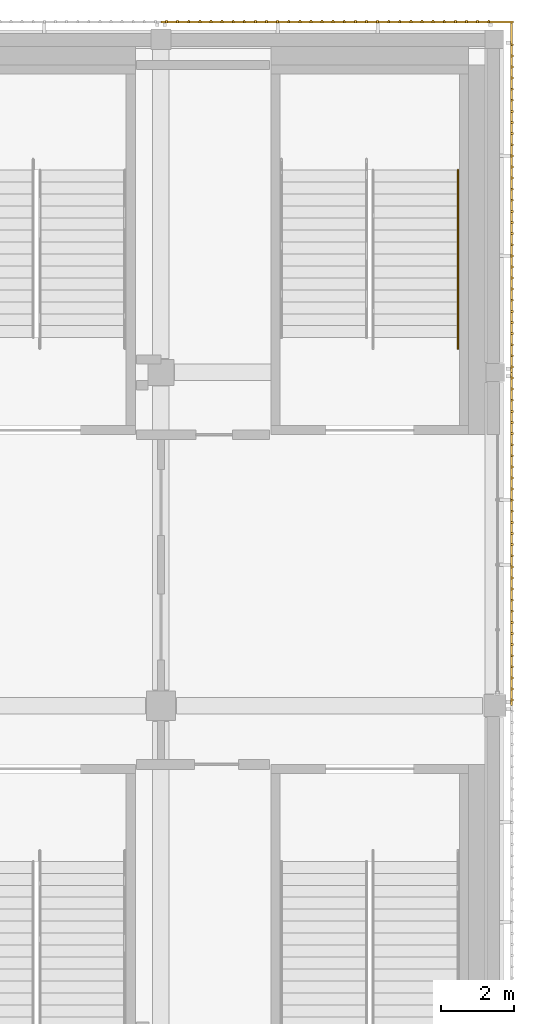
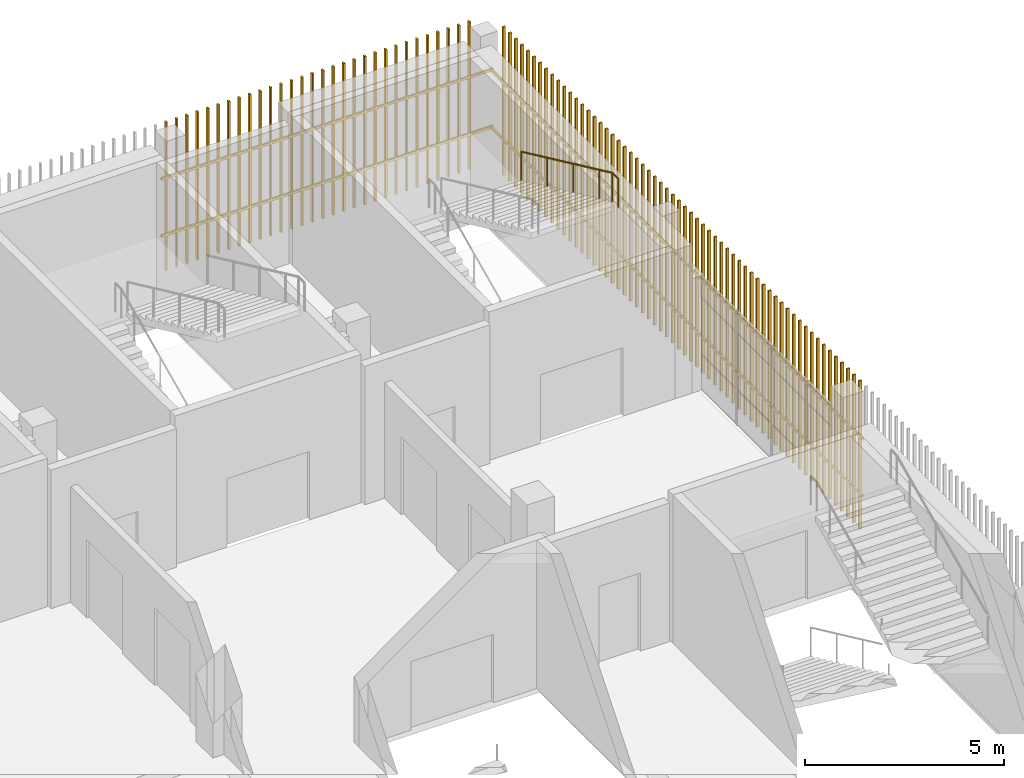
# One storey, part 124 of 126: 3 shading devices, 1 railing.
"""IFC4 building model written with IfcOpenShell, lengths in metres."""

from ifc_helpers import new_model, si_unit, direction, frame, origin, origin_2d, place, context, subcontext, project, spatial, rectangle, circle, extrude, material, type_object, element, save


model = new_model("IFC4")

# Units and contexts
model_context = context("Model", 3, precision=1e-05, world=origin(), true_north=direction((0.0, 1.0)))
body_context = subcontext(model_context, "Body", "Model", "MODEL_VIEW")
ifc_project = project(units=[si_unit("LENGTHUNIT", "METRE"), si_unit("AREAUNIT", "SQUARE_METRE"), si_unit("VOLUMEUNIT", "CUBIC_METRE"), si_unit("PLANEANGLEUNIT", "RADIAN"), si_unit("MASSUNIT", "GRAM", prefix="KILO")], contexts=[model_context])

# Site, building, storey
site_placement = place(None, origin())
site = spatial("IfcSite", under=ifc_project, at=site_placement, CompositionType="ELEMENT")
building_placement = place(site_placement, origin())
building = spatial("IfcBuilding", under=site, at=building_placement, Name="Shirokan Park Arena", CompositionType="ELEMENT")
storey_placement = place(building_placement, frame((0.0, 0.0, 6.3701171875)))
storey = spatial("IfcBuildingStorey", under=building, at=storey_placement, Name="L01", CompositionType="ELEMENT", Elevation=6.3701171875)

# Railing
ifc_material_1 = material(Name="Stainless steel", Category="steel")
railing_type = type_object("IfcRailingType", Name="Stair handrail 900", PredefinedType="HANDRAIL", material=ifc_material_1)
railing_placement = place(storey_placement, frame((144.610107421875, 105.623779296875, 2.426513671875)))
element("IfcRailing", 1, at=railing_placement, inside=storey, type_object=railing_type, Name="Handrail Exit Stair 3.A L01 to L02", PredefinedType="HANDRAIL", context=body_context, shape_type="SweptSolid", body=[
    extrude(circle(Radius=0.02392578125, at=origin_2d()), frame((0.0, 0.0, 0.8759765625), z_axis=(0.0, -0.907029769225, 0.421066500378), x_axis=(1.0, 0.0, 0.0)), (0.0, 0.0, 1.0), 1.44091796875),
    extrude(circle(Radius=0.02392578125, at=origin_2d()), frame((0.0, -1.306884765625, 1.482421875), z_axis=(0.0, -0.906999720516, 0.421131222998), x_axis=(1.0, 0.0, 0.0)), (0.0, 0.0, 1.0), 1.440673828125),
    extrude(circle(Radius=0.02392578125, at=origin_2d()), frame((0.0, -2.613525390625, 2.08935546875), z_axis=(0.0, -0.907029769225, 0.421066500378), x_axis=(1.0, 0.0, 0.0)), (0.0, 0.0, 1.0), 1.44091796875),
    extrude(circle(Radius=0.02392578125, at=origin_2d()), frame((0.0, -3.92041015625, 2.69580078125), z_axis=(0.0, -0.907064445915, 0.420991794405), x_axis=(1.0, 0.0, 0.0)), (0.0, 0.0, 1.0), 0.72021484375),
    extrude(circle(Radius=0.02392578125, at=origin_2d()), frame((0.0, -4.57373046875, 2.9990234375), z_axis=(0.0, -1.0, 0.0), x_axis=(1.0, 0.0, 0.0)), (0.0, 0.0, 1.0), 0.300048828125),
    extrude(circle(Radius=0.02099609375, at=origin_2d()), origin(), (0.0, 0.0, 1.0), 0.851806640625),
    extrude(circle(Radius=0.02099609375, at=origin_2d()), frame((0.0, -1.306884765625, 0.606689453125)), (0.0, 0.0, 1.0), 0.851806640625),
    extrude(circle(Radius=0.02099609375, at=origin_2d()), frame((0.0, -2.613525390625, 1.21337890625)), (0.0, 0.0, 1.0), 0.851806640625),
    extrude(circle(Radius=0.02099609375, at=origin_2d()), frame((0.0, -3.92041015625, 1.820068359375)), (0.0, 0.0, 1.0), 0.851806640625),
    extrude(circle(Radius=0.02099609375, at=origin_2d()), frame((0.0, -4.57373046875, 2.123291015625)), (0.0, 0.0, 1.0), 0.851806640625),
    extrude(circle(Radius=0.02099609375, at=origin_2d()), frame((0.0, -4.873779296875, 2.123291015625)), (0.0, 0.0, 1.0), 0.851806640625),
])

# Shading devices
ifc_material_2 = material(Name="Timber louvre veil (cedar)", Category="wood")
shading_device_type = type_object("IfcShadingDeviceType", Name="Timber louvre veil panel", PredefinedType="JALOUSIE", material=ifc_material_2)
shading_device_1_placement = place(storey_placement, origin())
element("IfcShadingDevice", 2, at=shading_device_1_placement, inside=storey, type_object=shading_device_type, Name="Timber louvre veil east bay 11 L01", PredefinedType="JALOUSIE", context=body_context, shape_type="SweptSolid", body=[
    extrude(rectangle(XDim=0.050048828125, YDim=0.080078125, at=origin_2d()), frame((146.0849609375, 91.151611328125, 0.0), z_axis=(0.0, 0.0, 1.0), x_axis=(0.0, 1.0, 0.0)), (0.0, 0.0, 1.0), 4.550048828125),
    extrude(rectangle(XDim=0.050048828125, YDim=0.080078125, at=origin_2d()), frame((146.0849609375, 91.455078125, 0.0), z_axis=(0.0, 0.0, 1.0), x_axis=(0.0, 1.0, 0.0)), (0.0, 0.0, 1.0), 4.550048828125),
    extrude(rectangle(XDim=0.050048828125, YDim=0.080078125, at=origin_2d()), frame((146.0849609375, 91.75830078125, 0.0), z_axis=(0.0, 0.0, 1.0), x_axis=(0.0, 1.0, 0.0)), (0.0, 0.0, 1.0), 4.550048828125),
    extrude(rectangle(XDim=0.050048828125, YDim=0.080078125, at=origin_2d()), frame((146.0849609375, 92.061767578125, 0.0), z_axis=(0.0, 0.0, 1.0), x_axis=(0.0, 1.0, 0.0)), (0.0, 0.0, 1.0), 4.550048828125),
    extrude(rectangle(XDim=0.050048828125, YDim=0.080078125, at=origin_2d()), frame((146.0849609375, 92.364990234375, 0.0), z_axis=(0.0, 0.0, 1.0), x_axis=(0.0, 1.0, 0.0)), (0.0, 0.0, 1.0), 4.550048828125),
    extrude(rectangle(XDim=0.050048828125, YDim=0.080078125, at=origin_2d()), frame((146.0849609375, 92.668212890625, 0.0), z_axis=(0.0, 0.0, 1.0), x_axis=(0.0, 1.0, 0.0)), (0.0, 0.0, 1.0), 4.550048828125),
    extrude(rectangle(XDim=0.050048828125, YDim=0.080078125, at=origin_2d()), frame((146.0849609375, 92.9716796875, 0.0), z_axis=(0.0, 0.0, 1.0), x_axis=(0.0, 1.0, 0.0)), (0.0, 0.0, 1.0), 4.550048828125),
    extrude(rectangle(XDim=0.050048828125, YDim=0.080078125, at=origin_2d()), frame((146.0849609375, 93.27490234375, 0.0), z_axis=(0.0, 0.0, 1.0), x_axis=(0.0, 1.0, 0.0)), (0.0, 0.0, 1.0), 4.550048828125),
    extrude(rectangle(XDim=0.050048828125, YDim=0.080078125, at=origin_2d()), frame((146.0849609375, 93.578369140625, 0.0), z_axis=(0.0, 0.0, 1.0), x_axis=(0.0, 1.0, 0.0)), (0.0, 0.0, 1.0), 4.550048828125),
    extrude(rectangle(XDim=0.050048828125, YDim=0.080078125, at=origin_2d()), frame((146.0849609375, 93.881591796875, 0.0), z_axis=(0.0, 0.0, 1.0), x_axis=(0.0, 1.0, 0.0)), (0.0, 0.0, 1.0), 4.550048828125),
    extrude(rectangle(XDim=0.050048828125, YDim=0.080078125, at=origin_2d()), frame((146.0849609375, 94.18505859375, 0.0), z_axis=(0.0, 0.0, 1.0), x_axis=(0.0, 1.0, 0.0)), (0.0, 0.0, 1.0), 4.550048828125),
    extrude(rectangle(XDim=0.050048828125, YDim=0.080078125, at=origin_2d()), frame((146.0849609375, 94.48828125, 0.0), z_axis=(0.0, 0.0, 1.0), x_axis=(0.0, 1.0, 0.0)), (0.0, 0.0, 1.0), 4.550048828125),
    extrude(rectangle(XDim=0.050048828125, YDim=0.080078125, at=origin_2d()), frame((146.0849609375, 94.791748046875, 0.0), z_axis=(0.0, 0.0, 1.0), x_axis=(0.0, 1.0, 0.0)), (0.0, 0.0, 1.0), 4.550048828125),
    extrude(rectangle(XDim=0.050048828125, YDim=0.080078125, at=origin_2d()), frame((146.0849609375, 95.094970703125, 0.0), z_axis=(0.0, 0.0, 1.0), x_axis=(0.0, 1.0, 0.0)), (0.0, 0.0, 1.0), 4.550048828125),
    extrude(rectangle(XDim=0.050048828125, YDim=0.080078125, at=origin_2d()), frame((146.0849609375, 95.3984375, 0.0), z_axis=(0.0, 0.0, 1.0), x_axis=(0.0, 1.0, 0.0)), (0.0, 0.0, 1.0), 4.550048828125),
    extrude(rectangle(XDim=0.050048828125, YDim=0.080078125, at=origin_2d()), frame((146.0849609375, 95.70166015625, 0.0), z_axis=(0.0, 0.0, 1.0), x_axis=(0.0, 1.0, 0.0)), (0.0, 0.0, 1.0), 4.550048828125),
    extrude(rectangle(XDim=0.050048828125, YDim=0.080078125, at=origin_2d()), frame((146.0849609375, 96.0048828125, 0.0), z_axis=(0.0, 0.0, 1.0), x_axis=(0.0, 1.0, 0.0)), (0.0, 0.0, 1.0), 4.550048828125),
    extrude(rectangle(XDim=0.050048828125, YDim=0.080078125, at=origin_2d()), frame((146.0849609375, 96.308349609375, 0.0), z_axis=(0.0, 0.0, 1.0), x_axis=(0.0, 1.0, 0.0)), (0.0, 0.0, 1.0), 4.550048828125),
    extrude(rectangle(XDim=0.050048828125, YDim=0.080078125, at=origin_2d()), frame((146.0849609375, 96.611572265625, 0.0), z_axis=(0.0, 0.0, 1.0), x_axis=(0.0, 1.0, 0.0)), (0.0, 0.0, 1.0), 4.550048828125),
    extrude(rectangle(XDim=0.050048828125, YDim=0.080078125, at=origin_2d()), frame((146.0849609375, 96.9150390625, 0.0), z_axis=(0.0, 0.0, 1.0), x_axis=(0.0, 1.0, 0.0)), (0.0, 0.0, 1.0), 4.550048828125),
    extrude(rectangle(XDim=0.050048828125, YDim=0.080078125, at=origin_2d()), frame((146.0849609375, 97.21826171875, 0.0), z_axis=(0.0, 0.0, 1.0), x_axis=(0.0, 1.0, 0.0)), (0.0, 0.0, 1.0), 4.550048828125),
    extrude(rectangle(XDim=0.050048828125, YDim=0.080078125, at=origin_2d()), frame((146.0849609375, 97.521728515625, 0.0), z_axis=(0.0, 0.0, 1.0), x_axis=(0.0, 1.0, 0.0)), (0.0, 0.0, 1.0), 4.550048828125),
    extrude(rectangle(XDim=0.050048828125, YDim=0.080078125, at=origin_2d()), frame((146.0849609375, 97.824951171875, 0.0), z_axis=(0.0, 0.0, 1.0), x_axis=(0.0, 1.0, 0.0)), (0.0, 0.0, 1.0), 4.550048828125),
    extrude(rectangle(XDim=0.050048828125, YDim=0.080078125, at=origin_2d()), frame((146.0849609375, 98.12841796875, 0.0), z_axis=(0.0, 0.0, 1.0), x_axis=(0.0, 1.0, 0.0)), (0.0, 0.0, 1.0), 4.550048828125),
    extrude(rectangle(XDim=0.050048828125, YDim=0.080078125, at=origin_2d()), frame((146.0849609375, 98.431640625, 0.0), z_axis=(0.0, 0.0, 1.0), x_axis=(0.0, 1.0, 0.0)), (0.0, 0.0, 1.0), 4.550048828125),
    extrude(rectangle(XDim=0.050048828125, YDim=0.080078125, at=origin_2d()), frame((146.0849609375, 98.735107421875, 0.0), z_axis=(0.0, 0.0, 1.0), x_axis=(0.0, 1.0, 0.0)), (0.0, 0.0, 1.0), 4.550048828125),
    extrude(rectangle(XDim=0.050048828125, YDim=0.080078125, at=origin_2d()), frame((146.0849609375, 99.038330078125, 0.0), z_axis=(0.0, 0.0, 1.0), x_axis=(0.0, 1.0, 0.0)), (0.0, 0.0, 1.0), 4.550048828125),
    extrude(rectangle(XDim=0.050048828125, YDim=0.080078125, at=origin_2d()), frame((146.0849609375, 99.341552734375, 0.0), z_axis=(0.0, 0.0, 1.0), x_axis=(0.0, 1.0, 0.0)), (0.0, 0.0, 1.0), 4.550048828125),
    extrude(rectangle(XDim=0.050048828125, YDim=0.080078125, at=origin_2d()), frame((146.0849609375, 99.64501953125, 0.0), z_axis=(0.0, 0.0, 1.0), x_axis=(0.0, 1.0, 0.0)), (0.0, 0.0, 1.0), 4.550048828125),
    extrude(rectangle(XDim=0.050048828125, YDim=0.080078125, at=origin_2d()), frame((146.0849609375, 99.9482421875, 0.0), z_axis=(0.0, 0.0, 1.0), x_axis=(0.0, 1.0, 0.0)), (0.0, 0.0, 1.0), 4.550048828125),
    extrude(rectangle(XDim=9.10009765625, YDim=0.050048828125, at=origin_2d()), frame((146.070068359375, 95.550048828125, 1.059814453125), z_axis=(0.0, 0.0, 1.0), x_axis=(0.0, 1.0, 0.0)), (0.0, 0.0, 1.0), 0.080078125),
    extrude(rectangle(XDim=9.10009765625, YDim=0.050048828125, at=origin_2d()), frame((146.070068359375, 95.550048828125, 2.809814453125), z_axis=(0.0, 0.0, 1.0), x_axis=(0.0, 1.0, 0.0)), (0.0, 0.0, 1.0), 0.080078125),
])
shading_device_2_placement = place(storey_placement, origin())
element("IfcShadingDevice", 3, at=shading_device_2_placement, inside=storey, type_object=shading_device_type, Name="Timber louvre veil east bay 12 L01", PredefinedType="JALOUSIE", context=body_context, shape_type="SweptSolid", body=[
    extrude(rectangle(XDim=0.050048828125, YDim=0.080078125, at=origin_2d()), frame((146.0849609375, 100.251708984375, 0.0), z_axis=(0.0, 0.0, 1.0), x_axis=(0.0, 1.0, 0.0)), (0.0, 0.0, 1.0), 4.550048828125),
    extrude(rectangle(XDim=0.050048828125, YDim=0.080078125, at=origin_2d()), frame((146.0849609375, 100.554931640625, 0.0), z_axis=(0.0, 0.0, 1.0), x_axis=(0.0, 1.0, 0.0)), (0.0, 0.0, 1.0), 4.550048828125),
    extrude(rectangle(XDim=0.050048828125, YDim=0.080078125, at=origin_2d()), frame((146.0849609375, 100.8583984375, 0.0), z_axis=(0.0, 0.0, 1.0), x_axis=(0.0, 1.0, 0.0)), (0.0, 0.0, 1.0), 4.550048828125),
    extrude(rectangle(XDim=0.050048828125, YDim=0.080078125, at=origin_2d()), frame((146.0849609375, 101.16162109375, 0.0), z_axis=(0.0, 0.0, 1.0), x_axis=(0.0, 1.0, 0.0)), (0.0, 0.0, 1.0), 4.550048828125),
    extrude(rectangle(XDim=0.050048828125, YDim=0.080078125, at=origin_2d()), frame((146.0849609375, 101.465087890625, 0.0), z_axis=(0.0, 0.0, 1.0), x_axis=(0.0, 1.0, 0.0)), (0.0, 0.0, 1.0), 4.550048828125),
    extrude(rectangle(XDim=0.050048828125, YDim=0.080078125, at=origin_2d()), frame((146.0849609375, 101.768310546875, 0.0), z_axis=(0.0, 0.0, 1.0), x_axis=(0.0, 1.0, 0.0)), (0.0, 0.0, 1.0), 4.550048828125),
    extrude(rectangle(XDim=0.050048828125, YDim=0.080078125, at=origin_2d()), frame((146.0849609375, 102.07177734375, 0.0), z_axis=(0.0, 0.0, 1.0), x_axis=(0.0, 1.0, 0.0)), (0.0, 0.0, 1.0), 4.550048828125),
    extrude(rectangle(XDim=0.050048828125, YDim=0.080078125, at=origin_2d()), frame((146.0849609375, 102.375, 0.0), z_axis=(0.0, 0.0, 1.0), x_axis=(0.0, 1.0, 0.0)), (0.0, 0.0, 1.0), 4.550048828125),
    extrude(rectangle(XDim=0.050048828125, YDim=0.080078125, at=origin_2d()), frame((146.0849609375, 102.67822265625, 0.0), z_axis=(0.0, 0.0, 1.0), x_axis=(0.0, 1.0, 0.0)), (0.0, 0.0, 1.0), 4.550048828125),
    extrude(rectangle(XDim=0.050048828125, YDim=0.080078125, at=origin_2d()), frame((146.0849609375, 102.981689453125, 0.0), z_axis=(0.0, 0.0, 1.0), x_axis=(0.0, 1.0, 0.0)), (0.0, 0.0, 1.0), 4.550048828125),
    extrude(rectangle(XDim=0.050048828125, YDim=0.080078125, at=origin_2d()), frame((146.0849609375, 103.284912109375, 0.0), z_axis=(0.0, 0.0, 1.0), x_axis=(0.0, 1.0, 0.0)), (0.0, 0.0, 1.0), 4.550048828125),
    extrude(rectangle(XDim=0.050048828125, YDim=0.080078125, at=origin_2d()), frame((146.0849609375, 103.58837890625, 0.0), z_axis=(0.0, 0.0, 1.0), x_axis=(0.0, 1.0, 0.0)), (0.0, 0.0, 1.0), 4.550048828125),
    extrude(rectangle(XDim=0.050048828125, YDim=0.080078125, at=origin_2d()), frame((146.0849609375, 103.8916015625, 0.0), z_axis=(0.0, 0.0, 1.0), x_axis=(0.0, 1.0, 0.0)), (0.0, 0.0, 1.0), 4.550048828125),
    extrude(rectangle(XDim=0.050048828125, YDim=0.080078125, at=origin_2d()), frame((146.0849609375, 104.195068359375, 0.0), z_axis=(0.0, 0.0, 1.0), x_axis=(0.0, 1.0, 0.0)), (0.0, 0.0, 1.0), 4.550048828125),
    extrude(rectangle(XDim=0.050048828125, YDim=0.080078125, at=origin_2d()), frame((146.0849609375, 104.498291015625, 0.0), z_axis=(0.0, 0.0, 1.0), x_axis=(0.0, 1.0, 0.0)), (0.0, 0.0, 1.0), 4.550048828125),
    extrude(rectangle(XDim=0.050048828125, YDim=0.080078125, at=origin_2d()), frame((146.0849609375, 104.8017578125, 0.0), z_axis=(0.0, 0.0, 1.0), x_axis=(0.0, 1.0, 0.0)), (0.0, 0.0, 1.0), 4.550048828125),
    extrude(rectangle(XDim=0.050048828125, YDim=0.080078125, at=origin_2d()), frame((146.0849609375, 105.10498046875, 0.0), z_axis=(0.0, 0.0, 1.0), x_axis=(0.0, 1.0, 0.0)), (0.0, 0.0, 1.0), 4.550048828125),
    extrude(rectangle(XDim=0.050048828125, YDim=0.080078125, at=origin_2d()), frame((146.0849609375, 105.408447265625, 0.0), z_axis=(0.0, 0.0, 1.0), x_axis=(0.0, 1.0, 0.0)), (0.0, 0.0, 1.0), 4.550048828125),
    extrude(rectangle(XDim=0.050048828125, YDim=0.080078125, at=origin_2d()), frame((146.0849609375, 105.711669921875, 0.0), z_axis=(0.0, 0.0, 1.0), x_axis=(0.0, 1.0, 0.0)), (0.0, 0.0, 1.0), 4.550048828125),
    extrude(rectangle(XDim=0.050048828125, YDim=0.080078125, at=origin_2d()), frame((146.0849609375, 106.014892578125, 0.0), z_axis=(0.0, 0.0, 1.0), x_axis=(0.0, 1.0, 0.0)), (0.0, 0.0, 1.0), 4.550048828125),
    extrude(rectangle(XDim=0.050048828125, YDim=0.080078125, at=origin_2d()), frame((146.0849609375, 106.318359375, 0.0), z_axis=(0.0, 0.0, 1.0), x_axis=(0.0, 1.0, 0.0)), (0.0, 0.0, 1.0), 4.550048828125),
    extrude(rectangle(XDim=0.050048828125, YDim=0.080078125, at=origin_2d()), frame((146.0849609375, 106.62158203125, 0.0), z_axis=(0.0, 0.0, 1.0), x_axis=(0.0, 1.0, 0.0)), (0.0, 0.0, 1.0), 4.550048828125),
    extrude(rectangle(XDim=0.050048828125, YDim=0.080078125, at=origin_2d()), frame((146.0849609375, 106.925048828125, 0.0), z_axis=(0.0, 0.0, 1.0), x_axis=(0.0, 1.0, 0.0)), (0.0, 0.0, 1.0), 4.550048828125),
    extrude(rectangle(XDim=0.050048828125, YDim=0.080078125, at=origin_2d()), frame((146.0849609375, 107.228271484375, 0.0), z_axis=(0.0, 0.0, 1.0), x_axis=(0.0, 1.0, 0.0)), (0.0, 0.0, 1.0), 4.550048828125),
    extrude(rectangle(XDim=0.050048828125, YDim=0.080078125, at=origin_2d()), frame((146.0849609375, 107.53173828125, 0.0), z_axis=(0.0, 0.0, 1.0), x_axis=(0.0, 1.0, 0.0)), (0.0, 0.0, 1.0), 4.550048828125),
    extrude(rectangle(XDim=0.050048828125, YDim=0.080078125, at=origin_2d()), frame((146.0849609375, 107.8349609375, 0.0), z_axis=(0.0, 0.0, 1.0), x_axis=(0.0, 1.0, 0.0)), (0.0, 0.0, 1.0), 4.550048828125),
    extrude(rectangle(XDim=0.050048828125, YDim=0.080078125, at=origin_2d()), frame((146.0849609375, 108.138427734375, 0.0), z_axis=(0.0, 0.0, 1.0), x_axis=(0.0, 1.0, 0.0)), (0.0, 0.0, 1.0), 4.550048828125),
    extrude(rectangle(XDim=0.050048828125, YDim=0.080078125, at=origin_2d()), frame((146.0849609375, 108.441650390625, 0.0), z_axis=(0.0, 0.0, 1.0), x_axis=(0.0, 1.0, 0.0)), (0.0, 0.0, 1.0), 4.550048828125),
    extrude(rectangle(XDim=0.050048828125, YDim=0.080078125, at=origin_2d()), frame((146.0849609375, 108.7451171875, 0.0), z_axis=(0.0, 0.0, 1.0), x_axis=(0.0, 1.0, 0.0)), (0.0, 0.0, 1.0), 4.550048828125),
    extrude(rectangle(XDim=0.050048828125, YDim=0.080078125, at=origin_2d()), frame((146.0849609375, 109.04833984375, 0.0), z_axis=(0.0, 0.0, 1.0), x_axis=(0.0, 1.0, 0.0)), (0.0, 0.0, 1.0), 4.550048828125),
    extrude(rectangle(XDim=9.544921875, YDim=0.050048828125, at=origin_2d()), frame((146.070068359375, 104.87255859375, 1.059814453125), z_axis=(0.0, 0.0, 1.0), x_axis=(0.0, 1.0, 0.0)), (0.0, 0.0, 1.0), 0.080078125),
    extrude(rectangle(XDim=9.544921875, YDim=0.050048828125, at=origin_2d()), frame((146.070068359375, 104.87255859375, 2.809814453125), z_axis=(0.0, 0.0, 1.0), x_axis=(0.0, 1.0, 0.0)), (0.0, 0.0, 1.0), 0.080078125),
])
shading_device_3_placement = place(storey_placement, origin())
element("IfcShadingDevice", 4, at=shading_device_3_placement, inside=storey, type_object=shading_device_type, Name="Timber louvre veil north bay 1 L01", PredefinedType="JALOUSIE", context=body_context, shape_type="SweptSolid", body=[
    extrude(rectangle(XDim=0.050048828125, YDim=0.080078125, at=origin_2d()), frame((145.4482421875, 109.68505859375, 0.0), z_axis=(0.0, 0.0, 1.0), x_axis=(-1.0, 0.0, 0.0)), (0.0, 0.0, 1.0), 4.550048828125),
    extrude(rectangle(XDim=0.050048828125, YDim=0.080078125, at=origin_2d()), frame((145.14501953125, 109.68505859375, 0.0), z_axis=(0.0, 0.0, 1.0), x_axis=(-1.0, 0.0, 0.0)), (0.0, 0.0, 1.0), 4.550048828125),
    extrude(rectangle(XDim=0.050048828125, YDim=0.080078125, at=origin_2d()), frame((144.841552734375, 109.68505859375, 0.0), z_axis=(0.0, 0.0, 1.0), x_axis=(-1.0, 0.0, 0.0)), (0.0, 0.0, 1.0), 4.550048828125),
    extrude(rectangle(XDim=0.050048828125, YDim=0.080078125, at=origin_2d()), frame((144.538330078125, 109.68505859375, 0.0), z_axis=(0.0, 0.0, 1.0), x_axis=(-1.0, 0.0, 0.0)), (0.0, 0.0, 1.0), 4.550048828125),
    extrude(rectangle(XDim=0.050048828125, YDim=0.080078125, at=origin_2d()), frame((144.235107421875, 109.68505859375, 0.0), z_axis=(0.0, 0.0, 1.0), x_axis=(-1.0, 0.0, 0.0)), (0.0, 0.0, 1.0), 4.550048828125),
    extrude(rectangle(XDim=0.050048828125, YDim=0.080078125, at=origin_2d()), frame((143.931640625, 109.68505859375, 0.0), z_axis=(0.0, 0.0, 1.0), x_axis=(-1.0, 0.0, 0.0)), (0.0, 0.0, 1.0), 4.550048828125),
    extrude(rectangle(XDim=0.050048828125, YDim=0.080078125, at=origin_2d()), frame((143.62841796875, 109.68505859375, 0.0), z_axis=(0.0, 0.0, 1.0), x_axis=(-1.0, 0.0, 0.0)), (0.0, 0.0, 1.0), 4.550048828125),
    extrude(rectangle(XDim=0.050048828125, YDim=0.080078125, at=origin_2d()), frame((143.324951171875, 109.68505859375, 0.0), z_axis=(0.0, 0.0, 1.0), x_axis=(-1.0, 0.0, 0.0)), (0.0, 0.0, 1.0), 4.550048828125),
    extrude(rectangle(XDim=0.050048828125, YDim=0.080078125, at=origin_2d()), frame((143.021728515625, 109.68505859375, 0.0), z_axis=(0.0, 0.0, 1.0), x_axis=(-1.0, 0.0, 0.0)), (0.0, 0.0, 1.0), 4.550048828125),
    extrude(rectangle(XDim=0.050048828125, YDim=0.080078125, at=origin_2d()), frame((142.71826171875, 109.68505859375, 0.0), z_axis=(0.0, 0.0, 1.0), x_axis=(-1.0, 0.0, 0.0)), (0.0, 0.0, 1.0), 4.550048828125),
    extrude(rectangle(XDim=0.050048828125, YDim=0.080078125, at=origin_2d()), frame((142.4150390625, 109.68505859375, 0.0), z_axis=(0.0, 0.0, 1.0), x_axis=(-1.0, 0.0, 0.0)), (0.0, 0.0, 1.0), 4.550048828125),
    extrude(rectangle(XDim=0.050048828125, YDim=0.080078125, at=origin_2d()), frame((142.111572265625, 109.68505859375, 0.0), z_axis=(0.0, 0.0, 1.0), x_axis=(-1.0, 0.0, 0.0)), (0.0, 0.0, 1.0), 4.550048828125),
    extrude(rectangle(XDim=0.050048828125, YDim=0.080078125, at=origin_2d()), frame((141.808349609375, 109.68505859375, 0.0), z_axis=(0.0, 0.0, 1.0), x_axis=(-1.0, 0.0, 0.0)), (0.0, 0.0, 1.0), 4.550048828125),
    extrude(rectangle(XDim=0.050048828125, YDim=0.080078125, at=origin_2d()), frame((141.5048828125, 109.68505859375, 0.0), z_axis=(0.0, 0.0, 1.0), x_axis=(-1.0, 0.0, 0.0)), (0.0, 0.0, 1.0), 4.550048828125),
    extrude(rectangle(XDim=0.050048828125, YDim=0.080078125, at=origin_2d()), frame((141.20166015625, 109.68505859375, 0.0), z_axis=(0.0, 0.0, 1.0), x_axis=(-1.0, 0.0, 0.0)), (0.0, 0.0, 1.0), 4.550048828125),
    extrude(rectangle(XDim=0.050048828125, YDim=0.080078125, at=origin_2d()), frame((140.8984375, 109.68505859375, 0.0), z_axis=(0.0, 0.0, 1.0), x_axis=(-1.0, 0.0, 0.0)), (0.0, 0.0, 1.0), 4.550048828125),
    extrude(rectangle(XDim=0.050048828125, YDim=0.080078125, at=origin_2d()), frame((140.594970703125, 109.68505859375, 0.0), z_axis=(0.0, 0.0, 1.0), x_axis=(-1.0, 0.0, 0.0)), (0.0, 0.0, 1.0), 4.550048828125),
    extrude(rectangle(XDim=0.050048828125, YDim=0.080078125, at=origin_2d()), frame((140.291748046875, 109.68505859375, 0.0), z_axis=(0.0, 0.0, 1.0), x_axis=(-1.0, 0.0, 0.0)), (0.0, 0.0, 1.0), 4.550048828125),
    extrude(rectangle(XDim=0.050048828125, YDim=0.080078125, at=origin_2d()), frame((139.98828125, 109.68505859375, 0.0), z_axis=(0.0, 0.0, 1.0), x_axis=(-1.0, 0.0, 0.0)), (0.0, 0.0, 1.0), 4.550048828125),
    extrude(rectangle(XDim=0.050048828125, YDim=0.080078125, at=origin_2d()), frame((139.68505859375, 109.68505859375, 0.0), z_axis=(0.0, 0.0, 1.0), x_axis=(-1.0, 0.0, 0.0)), (0.0, 0.0, 1.0), 4.550048828125),
    extrude(rectangle(XDim=0.050048828125, YDim=0.080078125, at=origin_2d()), frame((139.381591796875, 109.68505859375, 0.0), z_axis=(0.0, 0.0, 1.0), x_axis=(-1.0, 0.0, 0.0)), (0.0, 0.0, 1.0), 4.550048828125),
    extrude(rectangle(XDim=0.050048828125, YDim=0.080078125, at=origin_2d()), frame((139.078369140625, 109.68505859375, 0.0), z_axis=(0.0, 0.0, 1.0), x_axis=(-1.0, 0.0, 0.0)), (0.0, 0.0, 1.0), 4.550048828125),
    extrude(rectangle(XDim=0.050048828125, YDim=0.080078125, at=origin_2d()), frame((138.77490234375, 109.68505859375, 0.0), z_axis=(0.0, 0.0, 1.0), x_axis=(-1.0, 0.0, 0.0)), (0.0, 0.0, 1.0), 4.550048828125),
    extrude(rectangle(XDim=0.050048828125, YDim=0.080078125, at=origin_2d()), frame((138.4716796875, 109.68505859375, 0.0), z_axis=(0.0, 0.0, 1.0), x_axis=(-1.0, 0.0, 0.0)), (0.0, 0.0, 1.0), 4.550048828125),
    extrude(rectangle(XDim=0.050048828125, YDim=0.080078125, at=origin_2d()), frame((138.168212890625, 109.68505859375, 0.0), z_axis=(0.0, 0.0, 1.0), x_axis=(-1.0, 0.0, 0.0)), (0.0, 0.0, 1.0), 4.550048828125),
    extrude(rectangle(XDim=0.050048828125, YDim=0.080078125, at=origin_2d()), frame((137.864990234375, 109.68505859375, 0.0), z_axis=(0.0, 0.0, 1.0), x_axis=(-1.0, 0.0, 0.0)), (0.0, 0.0, 1.0), 4.550048828125),
    extrude(rectangle(XDim=0.050048828125, YDim=0.080078125, at=origin_2d()), frame((137.561767578125, 109.68505859375, 0.0), z_axis=(0.0, 0.0, 1.0), x_axis=(-1.0, 0.0, 0.0)), (0.0, 0.0, 1.0), 4.550048828125),
    extrude(rectangle(XDim=0.050048828125, YDim=0.080078125, at=origin_2d()), frame((137.25830078125, 109.68505859375, 0.0), z_axis=(0.0, 0.0, 1.0), x_axis=(-1.0, 0.0, 0.0)), (0.0, 0.0, 1.0), 4.550048828125),
    extrude(rectangle(XDim=0.050048828125, YDim=0.080078125, at=origin_2d()), frame((136.955078125, 109.68505859375, 0.0), z_axis=(0.0, 0.0, 1.0), x_axis=(-1.0, 0.0, 0.0)), (0.0, 0.0, 1.0), 4.550048828125),
    extrude(rectangle(XDim=0.050048828125, YDim=0.080078125, at=origin_2d()), frame((136.651611328125, 109.68505859375, 0.0), z_axis=(0.0, 0.0, 1.0), x_axis=(-1.0, 0.0, 0.0)), (0.0, 0.0, 1.0), 4.550048828125),
    extrude(rectangle(XDim=9.625, YDim=0.050048828125, at=origin_2d()), frame((141.3125, 109.669921875, 1.059814453125), z_axis=(0.0, 0.0, 1.0), x_axis=(-1.0, 0.0, 0.0)), (0.0, 0.0, 1.0), 0.080078125),
    extrude(rectangle(XDim=9.625, YDim=0.050048828125, at=origin_2d()), frame((141.3125, 109.669921875, 2.809814453125), z_axis=(0.0, 0.0, 1.0), x_axis=(-1.0, 0.0, 0.0)), (0.0, 0.0, 1.0), 0.080078125),
])

save(model, "model.ifc")
